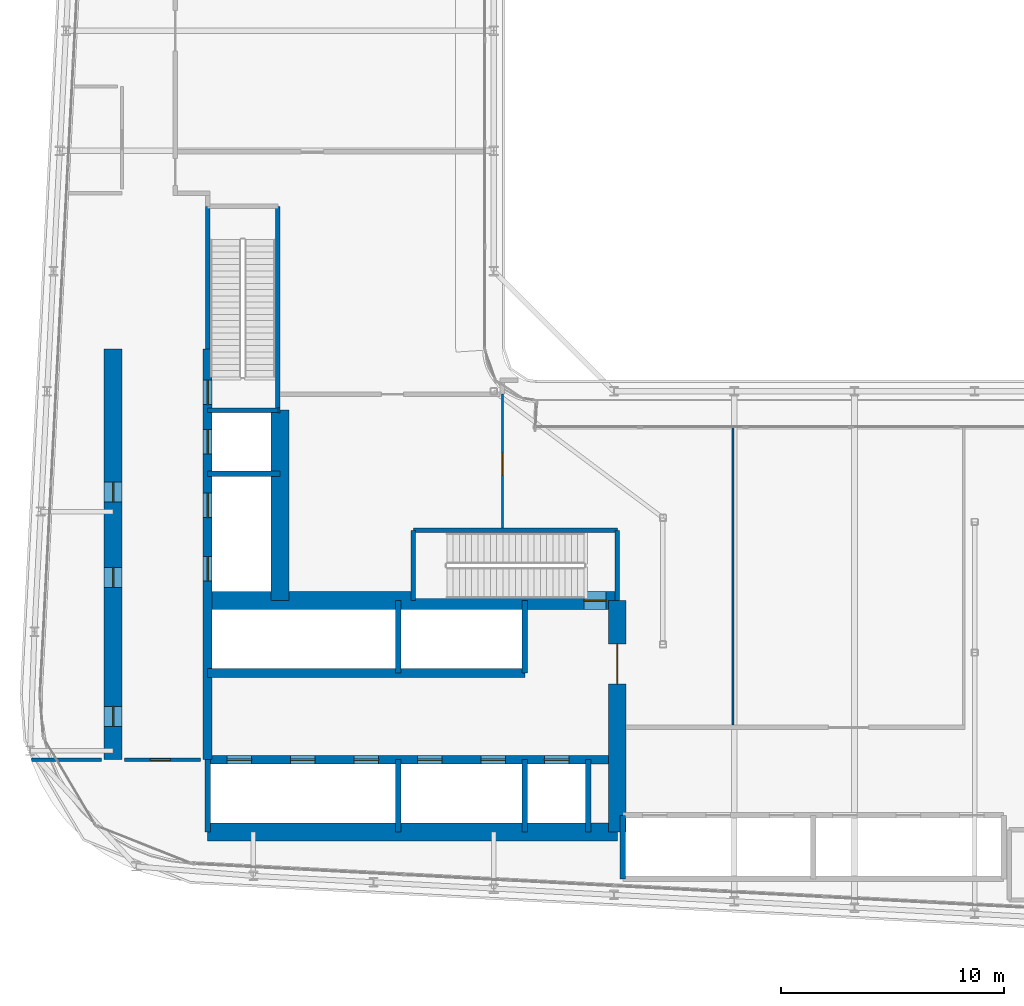
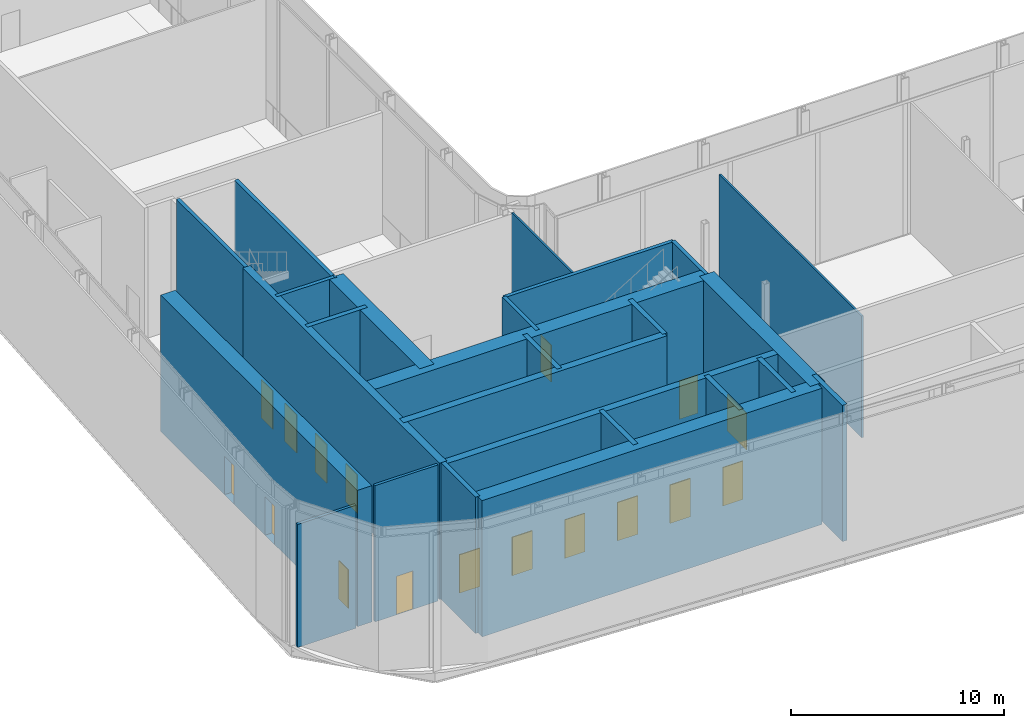
# One storey, part 26 of 37: 27 walls, 17 doors, 17 openings.
"""IFC4 building model written with IfcOpenShell, lengths in metres."""

from ifc_helpers import new_model, si_unit, direction, frame, frame_2d, origin, place, context, subcontext, project, spatial, rectangle, extrude, source, transform, mapped, material, layer, layer_set, type_object, element, fill, save


model = new_model("IFC4")

# Units and contexts
model_context = context("Model", 3, precision=1e-05, world=origin(), true_north=direction((0.0, 1.0)))
body_context = subcontext(model_context, "Body", "Model", "MODEL_VIEW")
ifc_project = project(units=[si_unit("LENGTHUNIT", "METRE"), si_unit("AREAUNIT", "SQUARE_METRE"), si_unit("VOLUMEUNIT", "CUBIC_METRE"), si_unit("PLANEANGLEUNIT", "RADIAN"), si_unit("MASSUNIT", "GRAM", prefix="KILO")], contexts=[model_context])

# Site, building, storey
site_placement = place(None, origin())
site = spatial("IfcSite", under=ifc_project, at=site_placement, CompositionType="ELEMENT")
building_placement = place(site_placement, origin())
building = spatial("IfcBuilding", under=site, at=building_placement, Name="Kheshtan School and Residences Tower", CompositionType="ELEMENT")
storey_placement = place(building_placement, frame((0.0, 0.0, 144.800048828125)))
storey = spatial("IfcBuildingStorey", under=building, at=storey_placement, Name="L34", CompositionType="ELEMENT", Elevation=144.800048828125)

# Wall, openings, doors
ifc_material_1 = material(Name="Concrete C50/60", Category="concrete")
ifc_layer_1 = layer(ifc_material_1, 0.39990234375)
ifc_layer_set_1 = layer_set([ifc_layer_1], Name="Core wall 400 Concrete C50/60")
wall_type_1 = type_object("IfcWallType", Name="Core wall 400 Concrete C50/60", PredefinedType="SHEAR", material=ifc_layer_set_1)
wall_1_placement = place(storey_placement, frame((34.75, 29.050048828125, 0.0), z_axis=(0.0, 0.0, 1.0), x_axis=(1.0, 0.0, 0.0)))
wall_1 = element("IfcWall", 1, at=wall_1_placement, inside=storey, type_object=wall_type_1, Name="Core wall CW-HALL-S1", PredefinedType="SHEAR", context=body_context, shape_type="SweptSolid", body=[
    extrude(rectangle(XDim=18.39990234375, YDim=0.39990234375, at=frame_2d((9.199951171875, 0.0))), origin(), (0.0, 0.0, 1.0), 7.800048828125),
])
opening_1_placement = place(wall_1_placement, frame((0.875, 0.0, 0.0)))
opening_1 = element("IfcOpeningElement", 2, at=opening_1_placement, cuts=wall_1, Name="Opening LD", PredefinedType="OPENING", context=body_context, shape_type="SweptSolid", body=[
    extrude(rectangle(XDim=1.10009765625, YDim=2.199951171875, at=frame_2d((0.550048828125, 1.10009765625))), frame((0.0, 0.2099609375, 0.0), z_axis=(0.0, -1.0, 0.0), x_axis=(1.0, 0.0, 0.0)), (0.0, 0.0, 1.0), 0.419921875),
])
opening_2_placement = place(wall_1_placement, frame((3.72509765625, 0.0, 0.0)))
opening_2 = element("IfcOpeningElement", 3, at=opening_2_placement, cuts=wall_1, Name="Opening LD", PredefinedType="OPENING", context=body_context, shape_type="SweptSolid", body=[
    extrude(rectangle(XDim=1.10009765625, YDim=2.199951171875, at=frame_2d((0.550048828125, 1.10009765625))), frame((0.0, 0.2099609375, 0.0), z_axis=(0.0, -1.0, 0.0), x_axis=(1.0, 0.0, 0.0)), (0.0, 0.0, 1.0), 0.419921875),
])
opening_3_placement = place(wall_1_placement, frame((6.574951171875, 0.0, 0.0)))
opening_3 = element("IfcOpeningElement", 4, at=opening_3_placement, cuts=wall_1, Name="Opening LD", PredefinedType="OPENING", context=body_context, shape_type="SweptSolid", body=[
    extrude(rectangle(XDim=1.10009765625, YDim=2.199951171875, at=frame_2d((0.550048828125, 1.10009765625))), frame((0.0, 0.2099609375, 0.0), z_axis=(0.0, -1.0, 0.0), x_axis=(1.0, 0.0, 0.0)), (0.0, 0.0, 1.0), 0.419921875),
])
opening_4_placement = place(wall_1_placement, frame((9.425048828125, 0.0, 0.0)))
opening_4 = element("IfcOpeningElement", 5, at=opening_4_placement, cuts=wall_1, Name="Opening LD", PredefinedType="OPENING", context=body_context, shape_type="SweptSolid", body=[
    extrude(rectangle(XDim=1.10009765625, YDim=2.199951171875, at=frame_2d((0.550048828125, 1.10009765625))), frame((0.0, 0.2099609375, 0.0), z_axis=(0.0, -1.0, 0.0), x_axis=(1.0, 0.0, 0.0)), (0.0, 0.0, 1.0), 0.419921875),
])
opening_5_placement = place(wall_1_placement, frame((12.27490234375, 0.0, 0.0)))
opening_5 = element("IfcOpeningElement", 6, at=opening_5_placement, cuts=wall_1, Name="Opening LD", PredefinedType="OPENING", context=body_context, shape_type="SweptSolid", body=[
    extrude(rectangle(XDim=1.10009765625, YDim=2.199951171875, at=frame_2d((0.550048828125, 1.10009765625))), frame((0.0, 0.2099609375, 0.0), z_axis=(0.0, -1.0, 0.0), x_axis=(1.0, 0.0, 0.0)), (0.0, 0.0, 1.0), 0.419921875),
])
opening_6_placement = place(wall_1_placement, frame((15.125, 0.0, 0.0)))
opening_6 = element("IfcOpeningElement", 7, at=opening_6_placement, cuts=wall_1, Name="Opening LD", PredefinedType="OPENING", context=body_context, shape_type="SweptSolid", body=[
    extrude(rectangle(XDim=1.10009765625, YDim=2.199951171875, at=frame_2d((0.550048828125, 1.10009765625))), frame((0.0, 0.2099609375, 0.0), z_axis=(0.0, -1.0, 0.0), x_axis=(1.0, 0.0, 0.0)), (0.0, 0.0, 1.0), 0.419921875),
])
ifc_material_2 = material(Name="Stainless steel door leaves", Category="steel")
door_type_1 = type_object("IfcDoorType", Name="Lift landing door 1100", OperationType="SLIDING_TO_LEFT", PredefinedType="DOOR", material=ifc_material_2)
shared_shape_1 = source(origin(), body_context, "Body", "SweptSolid", [
    extrude(rectangle(XDim=1.10009765625, YDim=2.199951171875, at=frame_2d((0.550048828125, 1.10009765625))), frame((0.0, 0.02490234375, 0.0), z_axis=(0.0, -1.0, 0.0), x_axis=(1.0, 0.0, 0.0)), (0.0, 0.0, 1.0), 0.050048828125),
])
door_1_placement = place(opening_1_placement, origin())
door_1 = element("IfcDoor", 8, at=door_1_placement, inside=storey, type_object=door_type_1, Name="Lift P7 landing door", OperationType="SLIDING_TO_LEFT", OverallHeight=2.199951171875, OverallWidth=1.10009765625, PredefinedType="DOOR", context=body_context, shape_type="MappedRepresentation", body=[
    mapped(shared_shape_1, transform((0.0, 0.0, 0.0), x_axis=(1.0, 0.0, 0.0), y_axis=(0.0, 1.0, 0.0), z_axis=(0.0, 0.0, 1.0), scale=1.0)),
])
fill(opening_1, door_1)
door_2_placement = place(opening_2_placement, origin())
door_2 = element("IfcDoor", 9, at=door_2_placement, inside=storey, type_object=door_type_1, Name="Lift P8 landing door", OperationType="SLIDING_TO_LEFT", OverallHeight=2.199951171875, OverallWidth=1.10009765625, PredefinedType="DOOR", context=body_context, shape_type="MappedRepresentation", body=[
    mapped(shared_shape_1, transform((0.0, 0.0, 0.0), x_axis=(1.0, 0.0, 0.0), y_axis=(0.0, 1.0, 0.0), z_axis=(0.0, 0.0, 1.0), scale=1.0)),
])
fill(opening_2, door_2)
door_3_placement = place(opening_3_placement, origin())
door_3 = element("IfcDoor", 10, at=door_3_placement, inside=storey, type_object=door_type_1, Name="Lift P9 landing door", OperationType="SLIDING_TO_LEFT", OverallHeight=2.199951171875, OverallWidth=1.10009765625, PredefinedType="DOOR", context=body_context, shape_type="MappedRepresentation", body=[
    mapped(shared_shape_1, transform((0.0, 0.0, 0.0), x_axis=(1.0, 0.0, 0.0), y_axis=(0.0, 1.0, 0.0), z_axis=(0.0, 0.0, 1.0), scale=1.0)),
])
fill(opening_3, door_3)
door_4_placement = place(opening_4_placement, origin())
door_4 = element("IfcDoor", 11, at=door_4_placement, inside=storey, type_object=door_type_1, Name="Lift P10 landing door", OperationType="SLIDING_TO_LEFT", OverallHeight=2.199951171875, OverallWidth=1.10009765625, PredefinedType="DOOR", context=body_context, shape_type="MappedRepresentation", body=[
    mapped(shared_shape_1, transform((0.0, 0.0, 0.0), x_axis=(1.0, 0.0, 0.0), y_axis=(0.0, 1.0, 0.0), z_axis=(0.0, 0.0, 1.0), scale=1.0)),
])
fill(opening_4, door_4)
door_5_placement = place(opening_5_placement, origin())
door_5 = element("IfcDoor", 12, at=door_5_placement, inside=storey, type_object=door_type_1, Name="Lift P11 landing door", OperationType="SLIDING_TO_LEFT", OverallHeight=2.199951171875, OverallWidth=1.10009765625, PredefinedType="DOOR", context=body_context, shape_type="MappedRepresentation", body=[
    mapped(shared_shape_1, transform((0.0, 0.0, 0.0), x_axis=(1.0, 0.0, 0.0), y_axis=(0.0, 1.0, 0.0), z_axis=(0.0, 0.0, 1.0), scale=1.0)),
])
fill(opening_5, door_5)
door_6_placement = place(opening_6_placement, origin())
door_6 = element("IfcDoor", 13, at=door_6_placement, inside=storey, type_object=door_type_1, Name="Lift FFL2 landing door", OperationType="SLIDING_TO_LEFT", OverallHeight=2.199951171875, OverallWidth=1.10009765625, PredefinedType="DOOR", context=body_context, shape_type="MappedRepresentation", body=[
    mapped(shared_shape_1, transform((0.0, 0.0, 0.0), x_axis=(1.0, 0.0, 0.0), y_axis=(0.0, 1.0, 0.0), z_axis=(0.0, 0.0, 1.0), scale=1.0)),
])
fill(opening_6, door_6)

# Wall
wall_2_placement = place(storey_placement, frame((34.75, 32.949951171875, 0.0), z_axis=(0.0, 0.0, 1.0), x_axis=(1.0, 0.0, 0.0)))
element("IfcWall", 14, at=wall_2_placement, inside=storey, type_object=wall_type_1, Name="Core wall CW-HALL-S2", PredefinedType="SHEAR", context=body_context, shape_type="SweptSolid", body=[
    extrude(rectangle(XDim=14.25, YDim=0.39990234375, at=frame_2d((7.125, 0.0))), origin(), (0.0, 0.0, 1.0), 7.800048828125),
])

# Wall, openings, doors
wall_3_placement = place(storey_placement, frame((34.75, 29.050048828125, 0.0), z_axis=(0.0, 0.0, 1.0), x_axis=(0.0, 1.0, 0.0)))
wall_3 = element("IfcWall", 15, at=wall_3_placement, inside=storey, type_object=wall_type_1, Name="Core wall CW-HALL-W1", PredefinedType="SHEAR", context=body_context, shape_type="SweptSolid", body=[
    extrude(rectangle(XDim=18.449951171875, YDim=0.39990234375, at=frame_2d((9.22509765625, 0.0))), origin(), (0.0, 0.0, 1.0), 7.800048828125),
])
opening_7_placement = place(wall_3_placement, frame((8.02490234375, 0.0, 0.0)))
opening_7 = element("IfcOpeningElement", 16, at=opening_7_placement, cuts=wall_3, Name="Opening LD", PredefinedType="OPENING", context=body_context, shape_type="SweptSolid", body=[
    extrude(rectangle(XDim=1.10009765625, YDim=2.199951171875, at=frame_2d((0.550048828125, 1.10009765625))), frame((0.0, 0.2099609375, 0.0), z_axis=(0.0, -1.0, 0.0), x_axis=(1.0, 0.0, 0.0)), (0.0, 0.0, 1.0), 0.419921875),
])
opening_8_placement = place(wall_3_placement, frame((10.875, 0.0, 0.0)))
opening_8 = element("IfcOpeningElement", 17, at=opening_8_placement, cuts=wall_3, Name="Opening LD", PredefinedType="OPENING", context=body_context, shape_type="SweptSolid", body=[
    extrude(rectangle(XDim=1.10009765625, YDim=2.199951171875, at=frame_2d((0.550048828125, 1.10009765625))), frame((0.0, 0.2099609375, 0.0), z_axis=(0.0, -1.0, 0.0), x_axis=(1.0, 0.0, 0.0)), (0.0, 0.0, 1.0), 0.419921875),
])
opening_9_placement = place(wall_3_placement, frame((13.72509765625, 0.0, 0.0)))
opening_9 = element("IfcOpeningElement", 18, at=opening_9_placement, cuts=wall_3, Name="Opening LD", PredefinedType="OPENING", context=body_context, shape_type="SweptSolid", body=[
    extrude(rectangle(XDim=1.10009765625, YDim=2.199951171875, at=frame_2d((0.550048828125, 1.10009765625))), frame((0.0, 0.2099609375, 0.0), z_axis=(0.0, -1.0, 0.0), x_axis=(1.0, 0.0, 0.0)), (0.0, 0.0, 1.0), 0.419921875),
])
opening_10_placement = place(wall_3_placement, frame((15.949951171875, 0.0, 0.0)))
opening_10 = element("IfcOpeningElement", 19, at=opening_10_placement, cuts=wall_3, Name="Opening ST2D", PredefinedType="OPENING", context=body_context, shape_type="SweptSolid", body=[
    extrude(rectangle(XDim=1.10009765625, YDim=2.199951171875, at=frame_2d((0.550048828125, 1.10009765625))), frame((0.0, 0.2099609375, 0.0), z_axis=(0.0, -1.0, 0.0), x_axis=(1.0, 0.0, 0.0)), (0.0, 0.0, 1.0), 0.419921875),
])
door_7_placement = place(opening_7_placement, origin())
door_7 = element("IfcDoor", 20, at=door_7_placement, inside=storey, type_object=door_type_1, Name="Lift SV1 landing door", OperationType="SLIDING_TO_LEFT", OverallHeight=2.199951171875, OverallWidth=1.10009765625, PredefinedType="DOOR", context=body_context, shape_type="MappedRepresentation", body=[
    mapped(shared_shape_1, transform((0.0, 0.0, 0.0), x_axis=(1.0, 0.0, 0.0), y_axis=(0.0, 1.0, 0.0), z_axis=(0.0, 0.0, 1.0), scale=1.0)),
])
fill(opening_7, door_7)
door_8_placement = place(opening_8_placement, origin())
door_8 = element("IfcDoor", 21, at=door_8_placement, inside=storey, type_object=door_type_1, Name="Lift SV2 landing door", OperationType="SLIDING_TO_LEFT", OverallHeight=2.199951171875, OverallWidth=1.10009765625, PredefinedType="DOOR", context=body_context, shape_type="MappedRepresentation", body=[
    mapped(shared_shape_1, transform((0.0, 0.0, 0.0), x_axis=(1.0, 0.0, 0.0), y_axis=(0.0, 1.0, 0.0), z_axis=(0.0, 0.0, 1.0), scale=1.0)),
])
fill(opening_8, door_8)
door_9_placement = place(opening_9_placement, origin())
door_9 = element("IfcDoor", 22, at=door_9_placement, inside=storey, type_object=door_type_1, Name="Lift FFL1 landing door", OperationType="SLIDING_TO_LEFT", OverallHeight=2.199951171875, OverallWidth=1.10009765625, PredefinedType="DOOR", context=body_context, shape_type="MappedRepresentation", body=[
    mapped(shared_shape_1, transform((0.0, 0.0, 0.0), x_axis=(1.0, 0.0, 0.0), y_axis=(0.0, 1.0, 0.0), z_axis=(0.0, 0.0, 1.0), scale=1.0)),
])
fill(opening_9, door_9)
ifc_material_3 = material(Name="Steel door leaf, galvanised", Category="steel")
door_type_2 = type_object("IfcDoorType", Name="Stair door 1100 steel 90 min", OperationType="SINGLE_SWING_LEFT", PredefinedType="DOOR", material=ifc_material_3)
shared_shape_2 = source(origin(), body_context, "Body", "SweptSolid", [
    extrude(rectangle(XDim=1.10009765625, YDim=2.199951171875, at=frame_2d((0.550048828125, 1.10009765625))), frame((0.0, 0.02490234375, 0.0), z_axis=(0.0, -1.0, 0.0), x_axis=(1.0, 0.0, 0.0)), (0.0, 0.0, 1.0), 0.050048828125),
])
door_10_placement = place(opening_10_placement, origin())
door_10 = element("IfcDoor", 23, at=door_10_placement, inside=storey, type_object=door_type_2, Name="Stair ST2 door", OperationType="SINGLE_SWING_RIGHT", OverallHeight=2.199951171875, OverallWidth=1.10009765625, PredefinedType="DOOR", context=body_context, shape_type="MappedRepresentation", body=[
    mapped(shared_shape_2, transform((0.0, 0.0, 0.0), x_axis=(1.0, 0.0, 0.0), y_axis=(0.0, 1.0, 0.0), z_axis=(0.0, 0.0, 1.0), scale=1.0)),
])
fill(opening_10, door_10)

# Wall
ifc_material_4 = material(Name="Concrete C70/85", Category="concrete")
ifc_layer_2 = layer(ifc_material_4, 0.800048828125)
ifc_layer_set_2 = layer_set([ifc_layer_2], Name="Core wall 800 Concrete C70/85")
wall_type_2 = type_object("IfcWallType", Name="Core wall 800 Concrete C70/85", PredefinedType="SHEAR", material=ifc_layer_set_2)
wall_4_placement = place(storey_placement, frame((34.75, 25.800048828125, 0.0), z_axis=(0.0, 0.0, 1.0), x_axis=(1.0, 0.0, 0.0)))
element("IfcWall", 24, at=wall_4_placement, inside=storey, type_object=wall_type_2, Name="Core wall CW-REAR-S", PredefinedType="SHEAR", context=body_context, shape_type="SweptSolid", body=[
    extrude(rectangle(XDim=18.39990234375, YDim=0.800048828125, at=frame_2d((9.199951171875, 0.0))), origin(), (0.0, 0.0, 1.0), 7.800048828125),
])

# Wall, opening, door
wall_5_placement = place(storey_placement, frame((34.75, 36.199951171875, 0.0), z_axis=(0.0, 0.0, 1.0), x_axis=(1.0, 0.0, 0.0)))
wall_5 = element("IfcWall", 25, at=wall_5_placement, inside=storey, type_object=wall_type_2, Name="Core wall CW-FRONT-S", PredefinedType="SHEAR", context=body_context, shape_type="SweptSolid", body=[
    extrude(rectangle(XDim=18.39990234375, YDim=0.800048828125, at=frame_2d((9.199951171875, 0.0))), origin(), (0.0, 0.0, 1.0), 7.800048828125),
])
opening_11_placement = place(wall_5_placement, frame((16.89990234375, 0.0, 0.0)))
opening_11 = element("IfcOpeningElement", 26, at=opening_11_placement, cuts=wall_5, Name="Opening ST1D", PredefinedType="OPENING", context=body_context, shape_type="SweptSolid", body=[
    extrude(rectangle(XDim=1.0, YDim=2.199951171875, at=frame_2d((0.5, 1.10009765625))), frame((0.0, 0.41015625, 0.0), z_axis=(0.0, -1.0, 0.0), x_axis=(1.0, 0.0, 0.0)), (0.0, 0.0, 1.0), 0.820068359375),
])
shared_shape_3 = source(origin(), body_context, "Body", "SweptSolid", [
    extrude(rectangle(XDim=1.0, YDim=2.199951171875, at=frame_2d((0.5, 1.10009765625))), frame((0.0, 0.02490234375, 0.0), z_axis=(0.0, -1.0, 0.0), x_axis=(1.0, 0.0, 0.0)), (0.0, 0.0, 1.0), 0.050048828125),
])
door_11_placement = place(opening_11_placement, origin())
door_11 = element("IfcDoor", 27, at=door_11_placement, inside=storey, type_object=door_type_2, Name="Stair ST1 door", OperationType="SINGLE_SWING_RIGHT", OverallHeight=2.199951171875, OverallWidth=1.0, PredefinedType="DOOR", context=body_context, shape_type="MappedRepresentation", body=[
    mapped(shared_shape_3, transform((0.0, 0.0, 0.0), x_axis=(1.0, 0.0, 0.0), y_axis=(0.0, 1.0, 0.0), z_axis=(0.0, 0.0, 1.0), scale=1.0)),
])
fill(opening_11, door_11)

# Wall
wall_6_placement = place(storey_placement, frame((38.0, 36.199951171875, 0.0), z_axis=(0.0, 0.0, 1.0), x_axis=(0.0, 1.0, 0.0)))
element("IfcWall", 28, at=wall_6_placement, inside=storey, type_object=wall_type_2, Name="Core wall CW-FRONT-W", PredefinedType="SHEAR", context=body_context, shape_type="SweptSolid", body=[
    extrude(rectangle(XDim=8.550048828125, YDim=0.800048828125, at=frame_2d((4.27490234375, 0.0))), origin(), (0.0, 0.0, 1.0), 7.800048828125),
])

# Wall, openings, doors
wall_7_placement = place(storey_placement, frame((30.5, 29.050048828125, 0.0), z_axis=(0.0, 0.0, 1.0), x_axis=(0.0, 1.0, 0.0)))
wall_7 = element("IfcWall", 29, at=wall_7_placement, inside=storey, type_object=wall_type_2, Name="Core wall CW-REAR-W", PredefinedType="SHEAR", context=body_context, shape_type="SweptSolid", body=[
    extrude(rectangle(XDim=18.449951171875, YDim=0.800048828125, at=frame_2d((9.22509765625, 0.0))), origin(), (0.0, 0.0, 1.0), 7.800048828125),
])
opening_12_placement = place(wall_7_placement, frame((1.5, 0.0, 0.0)))
opening_12 = element("IfcOpeningElement", 30, at=opening_12_placement, cuts=wall_7, Name="Opening SR90", PredefinedType="OPENING", context=body_context, shape_type="SweptSolid", body=[
    extrude(rectangle(XDim=0.89990234375, YDim=2.199951171875, at=frame_2d((0.449951171875, 1.10009765625))), frame((0.0, 0.41015625, 0.0), z_axis=(0.0, -1.0, 0.0), x_axis=(1.0, 0.0, 0.0)), (0.0, 0.0, 1.0), 0.820068359375),
])
opening_13_placement = place(wall_7_placement, frame((7.743896484375, 0.0, 0.0)))
opening_13 = element("IfcOpeningElement", 31, at=opening_13_placement, cuts=wall_7, Name="Opening SR90", PredefinedType="OPENING", context=body_context, shape_type="SweptSolid", body=[
    extrude(rectangle(XDim=0.89990234375, YDim=2.199951171875, at=frame_2d((0.449951171875, 1.10009765625))), frame((0.0, 0.41015625, 0.0), z_axis=(0.0, -1.0, 0.0), x_axis=(1.0, 0.0, 0.0)), (0.0, 0.0, 1.0), 0.820068359375),
])
opening_14_placement = place(wall_7_placement, frame((11.568115234375, 0.0, 0.0)))
opening_14 = element("IfcOpeningElement", 32, at=opening_14_placement, cuts=wall_7, Name="Opening SR90", PredefinedType="OPENING", context=body_context, shape_type="SweptSolid", body=[
    extrude(rectangle(XDim=0.89990234375, YDim=2.199951171875, at=frame_2d((0.449951171875, 1.10009765625))), frame((0.0, 0.41015625, 0.0), z_axis=(0.0, -1.0, 0.0), x_axis=(1.0, 0.0, 0.0)), (0.0, 0.0, 1.0), 0.820068359375),
])
door_type_3 = type_object("IfcDoorType", Name="Service room door 900 steel 90 min", OperationType="SINGLE_SWING_LEFT", PredefinedType="DOOR", material=ifc_material_3)
shared_shape_4 = source(origin(), body_context, "Body", "SweptSolid", [
    extrude(rectangle(XDim=0.89990234375, YDim=2.199951171875, at=frame_2d((0.449951171875, 1.10009765625))), frame((0.0, 0.02490234375, 0.0), z_axis=(0.0, -1.0, 0.0), x_axis=(1.0, 0.0, 0.0)), (0.0, 0.0, 1.0), 0.050048828125),
])
door_12_placement = place(opening_12_placement, origin())
door_12 = element("IfcDoor", 33, at=door_12_placement, inside=storey, type_object=door_type_3, Name="Service room door", OperationType="SINGLE_SWING_LEFT", OverallHeight=2.199951171875, OverallWidth=0.89990234375, PredefinedType="DOOR", context=body_context, shape_type="MappedRepresentation", body=[
    mapped(shared_shape_4, transform((0.0, 0.0, 0.0), x_axis=(1.0, 0.0, 0.0), y_axis=(0.0, 1.0, 0.0), z_axis=(0.0, 0.0, 1.0), scale=1.0)),
])
fill(opening_12, door_12)
door_13_placement = place(opening_13_placement, origin())
door_13 = element("IfcDoor", 34, at=door_13_placement, inside=storey, type_object=door_type_3, Name="Service room door", OperationType="SINGLE_SWING_LEFT", OverallHeight=2.199951171875, OverallWidth=0.89990234375, PredefinedType="DOOR", context=body_context, shape_type="MappedRepresentation", body=[
    mapped(shared_shape_4, transform((0.0, 0.0, 0.0), x_axis=(1.0, 0.0, 0.0), y_axis=(0.0, 1.0, 0.0), z_axis=(0.0, 0.0, 1.0), scale=1.0)),
])
fill(opening_13, door_13)
door_14_placement = place(opening_14_placement, origin())
door_14 = element("IfcDoor", 35, at=door_14_placement, inside=storey, type_object=door_type_3, Name="Service room door", OperationType="SINGLE_SWING_RIGHT", OverallHeight=2.199951171875, OverallWidth=0.89990234375, PredefinedType="DOOR", context=body_context, shape_type="MappedRepresentation", body=[
    mapped(shared_shape_4, transform((0.0, 0.0, 0.0), x_axis=(1.0, 0.0, 0.0), y_axis=(0.0, 1.0, 0.0), z_axis=(0.0, 0.0, 1.0), scale=1.0)),
])
fill(opening_14, door_14)

# Wall, opening, door
wall_8_placement = place(storey_placement, frame((53.14990234375, 25.800048828125, 0.0), z_axis=(0.0, 0.0, 1.0), x_axis=(0.0, 1.0, 0.0)))
wall_8 = element("IfcWall", 36, at=wall_8_placement, inside=storey, type_object=wall_type_2, Name="Core wall CW-EAST", PredefinedType="SHEAR", context=body_context, shape_type="SweptSolid", body=[
    extrude(rectangle(XDim=10.39990234375, YDim=0.800048828125, at=frame_2d((5.199951171875, 0.0))), origin(), (0.0, 0.0, 1.0), 7.800048828125),
])
opening_15_placement = place(wall_8_placement, frame((6.64990234375, 0.0, 0.0)))
opening_15 = element("IfcOpeningElement", 37, at=opening_15_placement, cuts=wall_8, Name="Opening D34-001", PredefinedType="OPENING", context=body_context, shape_type="SweptSolid", body=[
    extrude(rectangle(XDim=1.800048828125, YDim=2.10009765625, at=frame_2d((0.89990234375, 1.050048828125))), frame((0.0, 0.41015625, 0.0), z_axis=(0.0, -1.0, 0.0), x_axis=(1.0, 0.0, 0.0)), (0.0, 0.0, 1.0), 0.820068359375),
])
ifc_material_5 = material(Name="Steel-framed fire-resisting door leaf", Category="steel")
door_type_4 = type_object("IfcDoorType", Name="Fire double door FD120 1800 x 2100", OperationType="DOUBLE_DOOR_SINGLE_SWING", PredefinedType="DOOR", material=ifc_material_5)
shared_shape_5 = source(origin(), body_context, "Body", "SweptSolid", [
    extrude(rectangle(XDim=1.800048828125, YDim=2.10009765625, at=frame_2d((0.89990234375, 1.050048828125))), frame((0.0, 0.02490234375, 0.0), z_axis=(0.0, -1.0, 0.0), x_axis=(1.0, 0.0, 0.0)), (0.0, 0.0, 1.0), 0.050048828125),
])
door_15_placement = place(opening_15_placement, origin())
door_15 = element("IfcDoor", 38, at=door_15_placement, inside=storey, type_object=door_type_4, Name="Door D34-001", OperationType="DOUBLE_DOOR_SINGLE_SWING", OverallHeight=2.10009765625, OverallWidth=1.800048828125, PredefinedType="DOOR", context=body_context, shape_type="MappedRepresentation", body=[
    mapped(shared_shape_5, transform((0.0, 0.0, 0.0), x_axis=(1.0, 0.0, 0.0), y_axis=(0.0, 1.0, 0.0), z_axis=(0.0, 0.0, 1.0), scale=1.0)),
])
fill(opening_15, door_15)

ifc_material_6 = material(Name="Gypsum board on steel studs", Category="steel")
ifc_layer_3 = layer(ifc_material_6, 0.10009765625)
ifc_layer_set_3 = layer_set([ifc_layer_3], Name="Gypsum partition 100")
wall_type_3 = type_object("IfcWallType", Name="Gypsum partition 100", PredefinedType="PARTITIONING", material=ifc_layer_set_3)
wall_9_placement = place(storey_placement, frame((47.989990234375, 39.448974609375, 0.0), z_axis=(0.0, 0.0, 1.0), x_axis=(0.0, 1.0, 0.0)))
wall_9 = element("IfcWall", 39, at=wall_9_placement, inside=storey, type_object=wall_type_3, Name="Partition L34-015", PredefinedType="PARTITIONING", context=body_context, shape_type="SweptSolid", body=[
    extrude(rectangle(XDim=6.02392578125, YDim=0.10009765625, at=frame_2d((3.011962890625, 0.0))), origin(), (0.0, 0.0, 1.0), 7.5),
])
opening_16_placement = place(wall_9_placement, frame((2.3740234375, 0.0, 0.0)))
opening_16 = element("IfcOpeningElement", 40, at=opening_16_placement, cuts=wall_9, Name="Opening D34-009", PredefinedType="OPENING", context=body_context, shape_type="SweptSolid", body=[
    extrude(rectangle(XDim=1.0, YDim=2.10009765625, at=frame_2d((0.5, 1.050048828125))), frame((0.0, 0.06005859375, 0.0), z_axis=(0.0, -1.0, 0.0), x_axis=(1.0, 0.0, 0.0)), (0.0, 0.0, 1.0), 0.1201171875),
])
ifc_material_7 = material(Name="Veneered timber door leaf", Category="wood")
door_type_5 = type_object("IfcDoorType", Name="Door 1000 x 2100", OperationType="SINGLE_SWING_LEFT", PredefinedType="DOOR", material=ifc_material_7)
shared_shape_6 = source(origin(), body_context, "Body", "SweptSolid", [
    extrude(rectangle(XDim=1.0, YDim=2.10009765625, at=frame_2d((0.5, 1.050048828125))), frame((0.0, 0.02490234375, 0.0), z_axis=(0.0, -1.0, 0.0), x_axis=(1.0, 0.0, 0.0)), (0.0, 0.0, 1.0), 0.050048828125),
])
door_16_placement = place(opening_16_placement, origin())
door_16 = element("IfcDoor", 41, at=door_16_placement, inside=storey, type_object=door_type_5, Name="Door D34-009", OperationType="SINGLE_SWING_RIGHT", OverallHeight=2.10009765625, OverallWidth=1.0, PredefinedType="DOOR", context=body_context, shape_type="MappedRepresentation", body=[
    mapped(shared_shape_6, transform((0.0, 0.0, 0.0), x_axis=(1.0, 0.0, 0.0), y_axis=(0.0, 1.0, 0.0), z_axis=(0.0, 0.0, 1.0), scale=1.0)),
])
fill(opening_16, door_16)

# Walls
wall_10_placement = place(storey_placement, frame((58.347900390625, 30.60009765625, 0.0), z_axis=(0.0, 0.0, 1.0), x_axis=(0.0, 1.0, 0.0)))
element("IfcWall", 42, at=wall_10_placement, inside=storey, type_object=wall_type_3, Name="Partition L34-018", PredefinedType="PARTITIONING", context=body_context, shape_type="SweptSolid", body=[
    extrude(rectangle(XDim=13.369873046875, YDim=0.10009765625, at=frame_2d((6.68505859375, 0.0))), origin(), (0.0, 0.0, 1.0), 6.971923828125),
])
ifc_material_8 = material(Name="Fire-board shaft wall system")
ifc_layer_4 = layer(ifc_material_8, 0.14990234375)
ifc_layer_set_4 = layer_set([ifc_layer_4], Name="Service room wall 150")
wall_type_4 = type_object("IfcWallType", Name="Service room wall 150", PredefinedType="PARTITIONING", material=ifc_layer_set_4)
wall_11_placement = place(storey_placement, frame((26.827880859375, 29.050048828125, 0.0), z_axis=(0.0, 0.0, 1.0), x_axis=(1.0, 0.0, 0.0)))
element("IfcWall", 43, at=wall_11_placement, inside=storey, type_object=wall_type_4, Name="Service room wall", PredefinedType="PARTITIONING", context=body_context, shape_type="SweptSolid", body=[
    extrude(rectangle(XDim=3.152099609375, YDim=0.14990234375, at=frame_2d((1.576171875, 0.0))), origin(), (0.0, 0.0, 1.0), 7.046875),
])

# Wall, opening, door
wall_12_placement = place(storey_placement, frame((31.02001953125, 29.050048828125, 0.0), z_axis=(0.0, 0.0, 1.0), x_axis=(1.0, 0.0, 0.0)))
wall_12 = element("IfcWall", 44, at=wall_12_placement, inside=storey, type_object=wall_type_4, Name="Service room wall", PredefinedType="PARTITIONING", context=body_context, shape_type="SweptSolid", body=[
    extrude(rectangle(XDim=3.409912109375, YDim=0.14990234375, at=frame_2d((1.705078125, 0.0))), origin(), (0.0, 0.0, 1.0), 7.800048828125),
])
opening_17_placement = place(wall_12_placement, frame((1.155029296875, 0.0, 0.0)))
opening_17 = element("IfcOpeningElement", 45, at=opening_17_placement, cuts=wall_12, Name="Opening SR90", PredefinedType="OPENING", context=body_context, shape_type="SweptSolid", body=[
    extrude(rectangle(XDim=0.89990234375, YDim=2.199951171875, at=frame_2d((0.449951171875, 1.10009765625))), frame((0.0, 0.0849609375, 0.0), z_axis=(0.0, -1.0, 0.0), x_axis=(1.0, 0.0, 0.0)), (0.0, 0.0, 1.0), 0.169921875),
])
door_17_placement = place(opening_17_placement, origin())
door_17 = element("IfcDoor", 46, at=door_17_placement, inside=storey, type_object=door_type_3, Name="Service room door", OperationType="SINGLE_SWING_LEFT", OverallHeight=2.199951171875, OverallWidth=0.89990234375, PredefinedType="DOOR", context=body_context, shape_type="MappedRepresentation", body=[
    mapped(shared_shape_4, transform((0.0, 0.0, 0.0), x_axis=(1.0, 0.0, 0.0), y_axis=(0.0, 1.0, 0.0), z_axis=(0.0, 0.0, 1.0), scale=1.0)),
])
fill(opening_17, door_17)

# Walls
ifc_layer_5 = layer(ifc_material_8, 0.25)
ifc_layer_set_5 = layer_set([ifc_layer_5], Name="Shaft lining wall 250")
wall_type_5 = type_object("IfcWallType", Name="Shaft lining wall 250", PredefinedType="PARTITIONING", material=ifc_layer_set_5)
for number, where, z_axis, x_axis, name in (
    (47, (34.75, 25.800048828125, 0.0), (0.0, 0.0, 1.0), (0.0, 1.0, 0.0), "Shaft lining wall"),
    (48, (43.300048828125, 25.800048828125, 0.0), (0.0, 0.0, 1.0), (0.0, 1.0, 0.0), "Shaft lining wall"),
    (49, (43.300048828125, 32.949951171875, 0.0), (0.0, 0.0, 1.0), (0.0, 1.0, 0.0), "Shaft lining wall"),
    (50, (49.0, 25.800048828125, 0.0), (0.0, 0.0, 1.0), (0.0, 1.0, 0.0), "Shaft lining wall"),
    (51, (49.0, 32.949951171875, 0.0), (0.0, 0.0, 1.0), (0.0, 1.0, 0.0), "Shaft lining wall"),
    (52, (51.85009765625, 25.800048828125, 0.0), (0.0, 0.0, 1.0), (0.0, 1.0, 0.0), "Shaft lining wall"),
):
    element("IfcWall", number, at=place(storey_placement, frame(where, z_axis=z_axis, x_axis=x_axis)), inside=storey, type_object=wall_type_5, Name=name, PredefinedType="PARTITIONING", context=body_context, shape_type="SweptSolid", body=[
        extrude(rectangle(XDim=3.25, YDim=0.25, at=frame_2d((1.625, 0.0))), origin(), (0.0, 0.0, 1.0), 7.800048828125),
    ])
wall_13_placement = place(storey_placement, frame((53.39990234375, 23.699951171875, 0.0), z_axis=(0.0, 0.0, 1.0), x_axis=(0.0, 1.0, 0.0)))
element("IfcWall", 53, at=wall_13_placement, inside=storey, type_object=wall_type_5, Name="Shaft lining wall", PredefinedType="PARTITIONING", context=body_context, shape_type="SweptSolid", body=[
    extrude(rectangle(XDim=2.85009765625, YDim=0.25, at=frame_2d((1.425048828125, 0.0))), origin(), (0.0, 0.0, 1.0), 7.800048828125),
])
wall_14_placement = place(storey_placement, frame((34.75, 41.89990234375, 0.0), z_axis=(0.0, 0.0, 1.0), x_axis=(1.0, 0.0, 0.0)))
element("IfcWall", 54, at=wall_14_placement, inside=storey, type_object=wall_type_5, Name="Shaft lining wall", PredefinedType="PARTITIONING", context=body_context, shape_type="SweptSolid", body=[
    extrude(rectangle(XDim=3.25, YDim=0.25, at=frame_2d((1.625, 0.0))), origin(), (0.0, 0.0, 1.0), 7.800048828125),
])
wall_15_placement = place(storey_placement, frame((37.89990234375, 44.75, 0.0), z_axis=(0.0, 0.0, 1.0), x_axis=(1.0, 0.0, 0.0)))
element("IfcWall", 55, at=wall_15_placement, inside=storey, type_object=wall_type_5, Name="Shaft lining wall", PredefinedType="PARTITIONING", context=body_context, shape_type="SweptSolid", body=[
    extrude(rectangle(XDim=0.10009765625, YDim=0.25, at=frame_2d((0.050048828125, 0.0))), origin(), (0.0, 0.0, 1.0), 7.800048828125),
])
ifc_material_9 = material(Name="Concrete C40/50", Category="concrete")
ifc_layer_6 = layer(ifc_material_9, 0.199951171875)
ifc_layer_set_6 = layer_set([ifc_layer_6], Name="Stair enclosure wall 200 Concrete C40/50")
wall_type_6 = type_object("IfcWallType", Name="Stair enclosure wall 200 Concrete C40/50", PredefinedType="SHEAR", material=ifc_layer_set_6)
wall_16_placement = place(storey_placement, frame((43.989990234375, 39.35009765625, 0.0), z_axis=(0.0, 0.0, 1.0), x_axis=(1.0, 0.0, 0.0)))
element("IfcWall", 56, at=wall_16_placement, inside=storey, type_object=wall_type_6, Name="Stair enclosure wall ST1", PredefinedType="SHEAR", context=body_context, shape_type="SweptSolid", body=[
    extrude(rectangle(XDim=9.159912109375, YDim=0.199951171875, at=frame_2d((4.580078125, 0.0))), origin(), (0.0, 0.0, 1.0), 7.800048828125),
])
for number, where, z_axis, x_axis, name in (
    (57, (43.989990234375, 36.199951171875, 0.0), (0.0, 0.0, 1.0), (0.0, 1.0, 0.0), "Stair enclosure wall ST1"),
    (58, (53.14990234375, 36.199951171875, 0.0), (0.0, 0.0, 1.0), (0.0, 1.0, 0.0), "Stair enclosure wall ST1"),
):
    element("IfcWall", number, at=place(storey_placement, frame(where, z_axis=z_axis, x_axis=x_axis)), inside=storey, type_object=wall_type_6, Name=name, PredefinedType="SHEAR", context=body_context, shape_type="SweptSolid", body=[
        extrude(rectangle(XDim=3.150146484375, YDim=0.199951171875, at=frame_2d((1.5751953125, 0.0))), origin(), (0.0, 0.0, 1.0), 7.800048828125),
    ])
wall_17_placement = place(storey_placement, frame((34.75, 44.75, 0.0), z_axis=(0.0, 0.0, 1.0), x_axis=(1.0, 0.0, 0.0)))
element("IfcWall", 59, at=wall_17_placement, inside=storey, type_object=wall_type_6, Name="Stair enclosure wall ST2", PredefinedType="SHEAR", context=body_context, shape_type="SweptSolid", body=[
    extrude(rectangle(XDim=3.14990234375, YDim=0.199951171875, at=frame_2d((1.574951171875, 0.0))), origin(), (0.0, 0.0, 1.0), 7.800048828125),
])
wall_18_placement = place(storey_placement, frame((34.75, 47.5, 0.0), z_axis=(0.0, 0.0, 1.0), x_axis=(0.0, 1.0, 0.0)))
element("IfcWall", 60, at=wall_18_placement, inside=storey, type_object=wall_type_6, Name="Stair enclosure wall ST2", PredefinedType="SHEAR", context=body_context, shape_type="SweptSolid", body=[
    extrude(rectangle(XDim=6.409912109375, YDim=0.199951171875, at=frame_2d((3.205078125, 0.0))), origin(), (0.0, 0.0, 1.0), 7.800048828125),
])
wall_19_placement = place(storey_placement, frame((37.89990234375, 44.75, 0.0), z_axis=(0.0, 0.0, 1.0), x_axis=(0.0, 1.0, 0.0)))
element("IfcWall", 61, at=wall_19_placement, inside=storey, type_object=wall_type_6, Name="Stair enclosure wall ST2", PredefinedType="SHEAR", context=body_context, shape_type="SweptSolid", body=[
    extrude(rectangle(XDim=9.159912109375, YDim=0.199951171875, at=frame_2d((4.580078125, 0.0))), origin(), (0.0, 0.0, 1.0), 7.800048828125),
])

save(model, "model.ifc")
